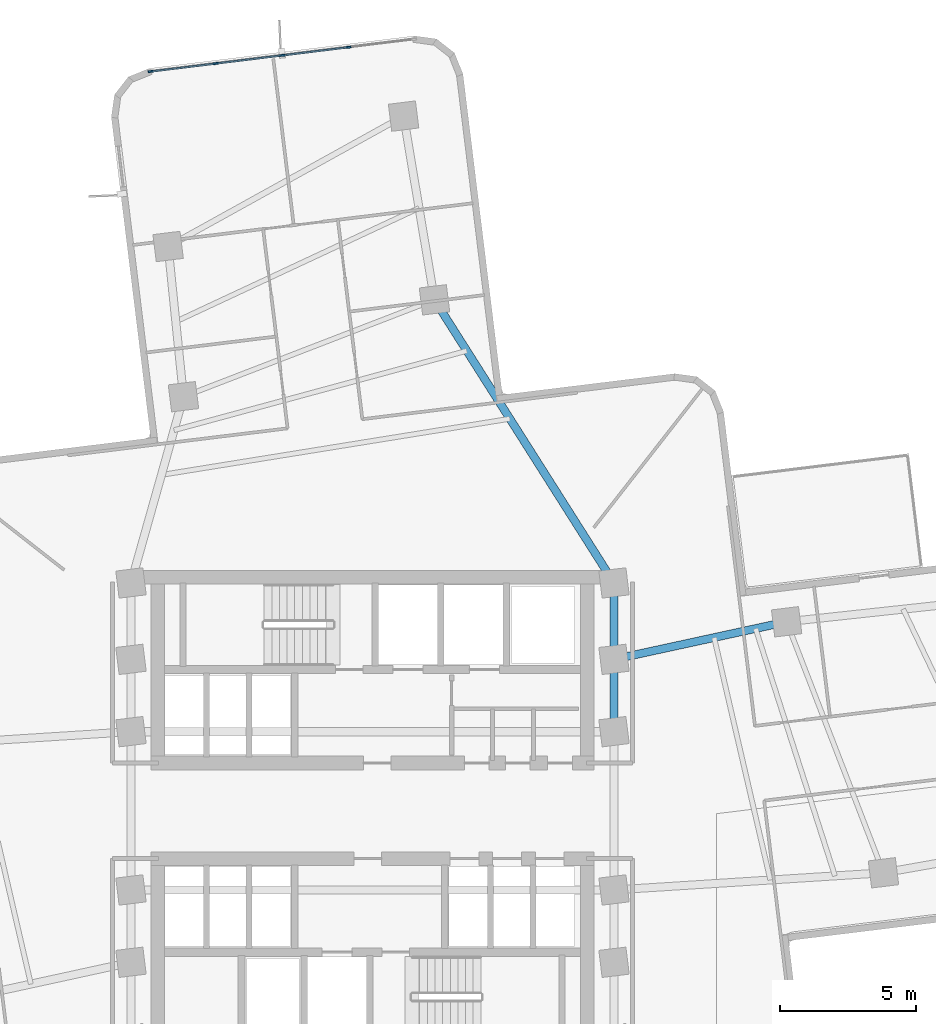
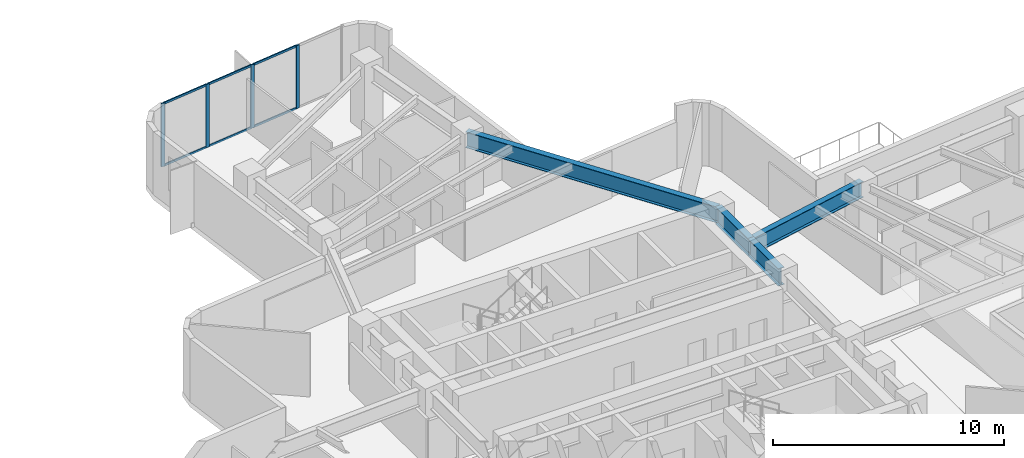
# One storey, part 4 of 13: 10 members, 4 beams, 1 element without a shape of its own.
"""IFC4 building model written with IfcOpenShell, lengths in metres."""

import ifcopenshell
import ifcopenshell.guid

model = None  # the IFC model being written
_history = None  # IfcOwnerHistory: only IFC2X3 demands one
_inside = {}  # id of a spatial element -> (the spatial element, [elements in it])
_under = {}  # id of a project, library or spatial element -> (it, [spatial elements below it])
_declared = {}  # id of a project -> (the project, [libraries it declares])
_typed = {}  # id of a type object -> (the type object, [elements of that type])
_made_of = {}  # id of a material, layer set ... -> (it, [elements and type objects made of it])


def new_model(schema):
    """Start an empty IFC model of exactly this schema.

    Asked for "IFC4X3", IfcOpenShell would pick the latest addendum, in which some entities
    have other attributes; the version numbers below select the first issue.
    IFC2X3 requires an IfcOwnerHistory on every rooted entity: one is made here for all.
    """
    global model, _history
    if schema == "IFC4X3":
        model = ifcopenshell.file(schema_version=(4, 3, 0, 0))
    else:
        model = ifcopenshell.file(schema=schema)
    _inside.clear()
    _under.clear()
    _declared.clear()
    _typed.clear()
    _made_of.clear()
    _history = None
    if model.schema == "IFC2X3":
        org = make("IfcOrganization", Name="unknown")
        user = make(
            "IfcPersonAndOrganization",
            ThePerson=make("IfcPerson", FamilyName="unknown"),
            TheOrganization=org,
        )
        app = make(
            "IfcApplication",
            ApplicationDeveloper=org,
            Version="unknown",
            ApplicationFullName="unknown",
            ApplicationIdentifier="unknown",
        )
        _history = make(
            "IfcOwnerHistory",
            OwningUser=user,
            OwningApplication=app,
            ChangeAction="ADDED",
            CreationDate=0,
        )
    return model


def make(cls, **values):
    """One entity of the class cls with the attributes given. An attribute that is None is left unset."""
    return model.create_entity(
        cls, **{name: value for name, value in values.items() if value is not None}
    )


def rooted(cls, **values):
    """An entity with a GlobalId (a new one), such as an element, a storey or a relation."""
    return make(cls, GlobalId=ifcopenshell.guid.new(), OwnerHistory=_history, **values)


def si_unit(unit_type, name, prefix=None):
    """IfcSIUnit, for example si_unit("LENGTHUNIT", "METRE", prefix="MILLI")."""
    return make("IfcSIUnit", UnitType=unit_type, Prefix=prefix, Name=name)


def assignment(units):
    """IfcUnitAssignment: the units of a project."""
    return None if units is None else make("IfcUnitAssignment", Units=units)


def point(xyz):
    """IfcCartesianPoint."""
    return None if xyz is None else make("IfcCartesianPoint", Coordinates=xyz)


def direction(xyz):
    """IfcDirection."""
    return None if xyz is None else make("IfcDirection", DirectionRatios=xyz)


def frame(location, z_axis=None, x_axis=None):
    """IfcAxis2Placement3D, a coordinate frame: its origin and axes. An axis left out is left unset."""
    return make(
        "IfcAxis2Placement3D",
        Location=point(location),
        Axis=direction(z_axis),
        RefDirection=direction(x_axis),
    )


def frame_2d(location, x_axis=None):
    """IfcAxis2Placement2D, a coordinate frame in the plane: its origin and x axis."""
    return make(
        "IfcAxis2Placement2D", Location=point(location), RefDirection=direction(x_axis)
    )


def origin():
    """The frame at (0, 0, 0) with its axes left unset."""
    return frame((0.0, 0.0, 0.0))


def origin_2d():
    """The frame at (0, 0) in the plane with its x axis left unset."""
    return frame_2d((0.0, 0.0))


def place(relative_to, where):
    """IfcLocalPlacement: puts the frame where relative to a parent placement (None: the world)."""
    return make(
        "IfcLocalPlacement", PlacementRelTo=relative_to, RelativePlacement=where
    )


def context(
    kind, dimensions, precision=None, world=None, true_north=None, identifier=None
):
    """IfcGeometricRepresentationContext, for example the 3D "Model" context."""
    return make(
        "IfcGeometricRepresentationContext",
        ContextIdentifier=identifier,
        ContextType=kind,
        CoordinateSpaceDimension=dimensions,
        Precision=precision,
        WorldCoordinateSystem=world,
        TrueNorth=true_north,
    )


def subcontext(parent, identifier, kind, view, scale=None):
    """IfcGeometricRepresentationSubContext, for example "Body" below "Model"."""
    return make(
        "IfcGeometricRepresentationSubContext",
        ContextIdentifier=identifier,
        ContextType=kind,
        ParentContext=parent,
        TargetScale=scale,
        TargetView=view,
    )


def project(units=None, contexts=None):
    """IfcProject with its units and contexts."""
    return rooted(
        "IfcProject",
        Name="project",
        RepresentationContexts=contexts,
        UnitsInContext=assignment(units),
    )


def spatial(cls, under=None, at=None, **own):
    """A site, building, storey or space (cls), placed at a placement, below another one or the project."""
    s = rooted(cls, ObjectPlacement=at, **own)
    if under is not None:
        _under.setdefault(under.id(), (under, []))[1].append(s)
    return s


def profile(cls, at=None, kind="AREA", **sizes):
    """A parametric profile (cls). Its sizes go by their IFC names, for example OverallWidth=200.0."""
    return make(cls, ProfileType=kind, Position=at, **sizes)


def rectangle(**sizes):
    """IfcRectangleProfileDef."""
    return profile("IfcRectangleProfileDef", **sizes)


def i_section(**sizes):
    """IfcIShapeProfileDef."""
    return profile("IfcIShapeProfileDef", **sizes)


def extrude(swept, where, along, depth):
    """IfcExtrudedAreaSolid: the profile swept, set in the frame where, extruded along a direction by depth."""
    return make(
        "IfcExtrudedAreaSolid",
        SweptArea=swept,
        Position=where,
        ExtrudedDirection=direction(along),
        Depth=depth,
    )


def shape(context_of_items, identifier, shape_type, items):
    """IfcShapeRepresentation: the items that make up one representation, for example the "Body"."""
    return make(
        "IfcShapeRepresentation",
        ContextOfItems=context_of_items,
        RepresentationIdentifier=identifier,
        RepresentationType=shape_type,
        Items=items,
    )


def material(Name=None, Category=None):
    """IfcMaterial."""
    return make("IfcMaterial", Name=Name, Category=Category)


def layer(
    of_material, thickness, ventilated=None, Name=None, Category=None, Priority=None
):
    """IfcMaterialLayer: one layer of a wall or slab, of a material (None: an air gap)."""
    return make(
        "IfcMaterialLayer",
        Material=of_material,
        LayerThickness=thickness,
        IsVentilated=ventilated,
        Name=Name,
        Category=Category,
        Priority=Priority,
    )


def layer_set(layers, Name=None):
    """IfcMaterialLayerSet."""
    return make("IfcMaterialLayerSet", MaterialLayers=layers, LayerSetName=Name)


def material_profile(
    of_material, cross_section, Name=None, Category=None, Priority=None
):
    """IfcMaterialProfile: a cross section and its material."""
    return make(
        "IfcMaterialProfile",
        Name=Name,
        Material=of_material,
        Profile=cross_section,
        Priority=Priority,
        Category=Category,
    )


def profile_set(profiles, Name=None, composite=None):
    """IfcMaterialProfileSet."""
    return make(
        "IfcMaterialProfileSet",
        Name=Name,
        MaterialProfiles=profiles,
        CompositeProfile=composite,
    )


def made_of(thing, what):
    """Note that an element or type object is made of a material, layer set ...; save() writes the relation."""
    if what is not None:
        _made_of.setdefault(what.id(), (what, []))[1].append(thing)
    return thing


def type_object(cls, material=None, **own):
    """A type object (cls), such as IfcWallType, which elements share."""
    return made_of(rooted(cls, **own), material)


def element(
    cls,
    number,
    at=None,
    inside=None,
    cuts=None,
    type_object=None,
    material=None,
    context=None,
    identifier="Body",
    shape_type=None,
    held_by="IfcProductDefinitionShape",
    body=None,
    shapes=None,
    **own,
):
    """One element of the class cls, such as IfcWall. Its Tag is "e" and its number.

    at: its placement. inside: the storey or other place that contains it. cuts: it is an
    opening in that element (IfcRelVoidsElement). A single representation is given by context,
    identifier, shape_type and body (its items); several are given by shapes. held_by: the class
    of the entity that holds the representations. save() writes the other relations.
    """
    e = rooted(cls, Tag="e%d" % number, ObjectPlacement=at, **own)
    if body is not None:
        shapes = [shape(context, identifier, shape_type, body)]
    if shapes is not None:
        e.Representation = make(held_by, Representations=shapes)
    if inside is not None:
        _inside.setdefault(inside.id(), (inside, []))[1].append(e)
    if cuts is not None:
        rooted(
            "IfcRelVoidsElement", RelatingBuildingElement=cuts, RelatedOpeningElement=e
        )
    if type_object is not None:
        _typed.setdefault(type_object.id(), (type_object, []))[1].append(e)
    return made_of(e, material)


def aggregate(whole, parts):
    """IfcRelAggregates: a whole, such as a stair, and the parts it consists of."""
    return rooted("IfcRelAggregates", RelatingObject=whole, RelatedObjects=parts)


def save(model, path):
    """Write the relations noted so far, then the file.

    IfcRelAggregates (storeys below a building ...), IfcRelContainedInSpatialStructure (elements
    in a storey), IfcRelDefinesByType, IfcRelAssociatesMaterial and IfcRelDeclares: one each for
    every whole, place, type object, material and project.
    """
    for whole, parts in _under.values():
        aggregate(whole, parts)
    for where, things in _inside.values():
        rooted(
            "IfcRelContainedInSpatialStructure",
            RelatedElements=things,
            RelatingStructure=where,
        )
    for kind, things in _typed.values():
        rooted("IfcRelDefinesByType", RelatedObjects=things, RelatingType=kind)
    for what, things in _made_of.values():
        rooted("IfcRelAssociatesMaterial", RelatedObjects=things, RelatingMaterial=what)
    for by, libraries in _declared.values():
        rooted("IfcRelDeclares", RelatingContext=by, RelatedDefinitions=libraries)
    model.write(path)


model = new_model("IFC4")

# Units and contexts
model_context = context("Model", 3, precision=1e-05, world=origin(), true_north=direction((0.0, 1.0)))
body_context = subcontext(model_context, "Body", "Model", "MODEL_VIEW")
ifc_project = project(units=[si_unit("LENGTHUNIT", "METRE"), si_unit("AREAUNIT", "SQUARE_METRE"), si_unit("VOLUMEUNIT", "CUBIC_METRE"), si_unit("PLANEANGLEUNIT", "RADIAN"), si_unit("MASSUNIT", "GRAM", prefix="KILO")], contexts=[model_context])

# Site, building, storey
site_placement = place(None, origin())
site = spatial("IfcSite", under=ifc_project, at=site_placement, CompositionType="ELEMENT")
building_placement = place(site_placement, origin())
building = spatial("IfcBuilding", under=site, at=building_placement, Name="Solmarez Civic Tower", CompositionType="ELEMENT")
storey_placement = place(building_placement, frame((0.0, 0.0, 82.080078125)))
storey = spatial("IfcBuildingStorey", under=building, at=storey_placement, Name="L21", CompositionType="ELEMENT", Elevation=82.080078125)

# Beams
ifc_material_1 = material(Name="Steel S355", Category="steel")
ifc_material_profile_1 = material_profile(ifc_material_1, i_section(OverallWidth=0.2919921875, OverallDepth=0.845947265625, WebThickness=0.015380859375, FlangeThickness=0.0244140625, at=origin_2d()), Name="W33X141")
ifc_profile_set_1 = profile_set([ifc_material_profile_1], Name="Steel S355")
beam_type_1 = type_object("IfcBeamType", Name="BM-PR-W33X141", PredefinedType="BEAM", material=ifc_profile_set_1)
beam_1_placement = place(storey_placement, frame((8.85009765625, 5.550048828125, 2.9169921875), z_axis=(0.977113347202, 0.212719314402, 0.0), x_axis=(-0.212719314402, 0.977113347202, 0.0)))
element("IfcBeam", 1, at=beam_1_placement, inside=storey, type_object=beam_type_1, Name="L21 Primary Floor Beam BM-L21-EA-R1B", PredefinedType="BEAM", context=body_context, shape_type="SweptSolid", body=[
    extrude(i_section(OverallWidth=0.2919921875, OverallDepth=0.845947265625, WebThickness=0.015380859375, FlangeThickness=0.0244140625, at=origin_2d()), origin(), (0.0, 0.0, 1.0), 6.47314453125),
])
beam_2_placement = place(storey_placement, frame((8.85009765625, 8.35009765625, 2.9169921875), z_axis=(-0.535568299099, 0.84449191648, 0.0), x_axis=(-0.84449191648, -0.535568299099, 0.0)))
element("IfcBeam", 2, at=beam_2_placement, inside=storey, type_object=beam_type_1, Name="L21 Primary Floor Beam BM-L21-NA-R1A", PredefinedType="BEAM", context=body_context, shape_type="SweptSolid", body=[
    extrude(i_section(OverallWidth=0.2919921875, OverallDepth=0.845947265625, WebThickness=0.015380859375, FlangeThickness=0.0244140625, at=origin_2d()), origin(), (0.0, 0.0, 1.0), 12.284423828125),
])
ifc_material_profile_2 = material_profile(ifc_material_1, i_section(OverallWidth=0.306884765625, OverallDepth=0.927001953125, WebThickness=0.019287109375, FlangeThickness=0.031982421875, at=origin_2d()), Name="W36X194")
ifc_profile_set_2 = profile_set([ifc_material_profile_2], Name="Steel S355")
beam_type_2 = type_object("IfcBeamType", Name="BM-PR-W36X194", PredefinedType="BEAM", material=ifc_profile_set_2)
beam_3_placement = place(storey_placement, frame((8.85009765625, 2.89990234375, 2.876953125), z_axis=(0.0, 1.0, 0.0), x_axis=(-1.0, 0.0, 0.0)))
element("IfcBeam", 3, at=beam_3_placement, inside=storey, type_object=beam_type_2, Name="L21 Primary Floor Beam BM-L21-HC7-HC8", PredefinedType="BEAM", context=body_context, shape_type="SweptSolid", body=[
    extrude(i_section(OverallWidth=0.306884765625, OverallDepth=0.927001953125, WebThickness=0.019287109375, FlangeThickness=0.031982421875, at=origin_2d()), origin(), (0.0, 0.0, 1.0), 2.650146484375),
])
beam_4_placement = place(storey_placement, frame((8.85009765625, 5.550048828125, 2.876953125), z_axis=(0.0, 1.0, 0.0), x_axis=(-1.0, 0.0, 0.0)))
element("IfcBeam", 4, at=beam_4_placement, inside=storey, type_object=beam_type_2, Name="L21 Primary Floor Beam BM-L21-HC8-HC11", PredefinedType="BEAM", context=body_context, shape_type="SweptSolid", body=[
    extrude(i_section(OverallWidth=0.306884765625, OverallDepth=0.927001953125, WebThickness=0.019287109375, FlangeThickness=0.031982421875, at=origin_2d()), origin(), (0.0, 0.0, 1.0), 2.800048828125),
])

# Curtain wall, members
ifc_material_2 = material(Name="Bronze Anodised Aluminium EN AW-6063 T6", Category="aluminium")
ifc_layer = layer(ifc_material_2, 0.155029296875)
ifc_layer_set = layer_set([ifc_layer], Name="Bronze Anodised Aluminium EN AW-6063 T6")
curtain_wall_type = type_object("IfcCurtainWallType", Name="CW-SYS-6", PredefinedType="NOTDEFINED", material=ifc_layer_set)
curtain_wall_placement = place(storey_placement, origin())
curtain_wall = element("IfcCurtainWall", 5, at=curtain_wall_placement, inside=storey, type_object=curtain_wall_type, Name="L21 Stick-Built Curtain Wall 2", PredefinedType="NOTDEFINED")
ifc_material_profile_3 = material_profile(ifc_material_2, rectangle(XDim=0.070068359375, YDim=0.179931640625, at=origin_2d()), Name="CWM-70X180")
ifc_profile_set_3 = profile_set([ifc_material_profile_3], Name="Bronze Anodised Aluminium EN AW-6063 T6")
member_type_1 = type_object("IfcMemberType", Name="CWM-TYPE-2", PredefinedType="MULLION", material=ifc_profile_set_3)
member_1_placement = place(storey_placement, frame((-8.13623046875, 27.09033203125, 0.0), z_axis=(0.0, 0.0, 1.0), x_axis=(-0.121861314359, 0.992547137451, 0.0)))
member_1 = element("IfcMember", 6, at=member_1_placement, type_object=member_type_1, Name="CWS6 mullion 1", PredefinedType="MULLION", context=body_context, shape_type="SweptSolid", body=[
    extrude(rectangle(XDim=0.070068359375, YDim=0.179931640625, at=origin_2d()), origin(), (0.0, 0.0, 1.0), 3.33984375),
])
member_2_placement = place(storey_placement, frame((-5.73974609375, 27.384521484375, 0.0), z_axis=(0.0, 0.0, 1.0), x_axis=(-0.121861314359, 0.992547137451, 0.0)))
member_2 = element("IfcMember", 7, at=member_2_placement, type_object=member_type_1, Name="CWS6 mullion 2", PredefinedType="MULLION", context=body_context, shape_type="SweptSolid", body=[
    extrude(rectangle(XDim=0.070068359375, YDim=0.179931640625, at=origin_2d()), origin(), (0.0, 0.0, 1.0), 3.33984375),
])
member_3_placement = place(storey_placement, frame((-3.30859375, 27.68310546875, 0.0), z_axis=(0.0, 0.0, 1.0), x_axis=(-0.121861314359, 0.992547137451, 0.0)))
member_3 = element("IfcMember", 8, at=member_3_placement, type_object=member_type_1, Name="CWS6 mullion 3", PredefinedType="MULLION", context=body_context, shape_type="SweptSolid", body=[
    extrude(rectangle(XDim=0.070068359375, YDim=0.179931640625, at=origin_2d()), origin(), (0.0, 0.0, 1.0), 3.33984375),
])
member_4_placement = place(storey_placement, frame((-0.877197265625, 27.9814453125, 0.0), z_axis=(0.0, 0.0, 1.0), x_axis=(-0.121861314359, 0.992547137451, 0.0)))
member_4 = element("IfcMember", 9, at=member_4_placement, type_object=member_type_1, Name="CWS6 mullion 4", PredefinedType="MULLION", context=body_context, shape_type="SweptSolid", body=[
    extrude(rectangle(XDim=0.070068359375, YDim=0.179931640625, at=origin_2d()), origin(), (0.0, 0.0, 1.0), 3.33984375),
])
ifc_material_profile_4 = material_profile(ifc_material_2, rectangle(XDim=0.06005859375, YDim=0.110107421875, at=origin_2d()), Name="CWT-60X110")
ifc_profile_set_4 = profile_set([ifc_material_profile_4], Name="Bronze Anodised Aluminium EN AW-6063 T6")
member_type_2 = type_object("IfcMemberType", Name="CWT-TYPE-3", PredefinedType="USERDEFINED", material=ifc_profile_set_4)
member_5_placement = place(storey_placement, frame((-8.1015625, 27.094482421875, 0.030029296875), z_axis=(0.992550967804, 0.121830112498, 0.0), x_axis=(-0.121830112498, 0.992550967804, 0.0)))
member_5 = element("IfcMember", 10, at=member_5_placement, type_object=member_type_2, Name="CWS6 transom 1.1", ObjectType="TRANSOM", PredefinedType="USERDEFINED", context=body_context, shape_type="SweptSolid", body=[
    extrude(rectangle(XDim=0.06005859375, YDim=0.110107421875, at=origin_2d()), origin(), (0.0, 0.0, 1.0), 2.3447265625),
])
member_6_placement = place(storey_placement, frame((-8.1015625, 27.094482421875, 3.309814453125), z_axis=(0.992550967804, 0.121830112498, 0.0), x_axis=(-0.121830112498, 0.992550967804, 0.0)))
member_6 = element("IfcMember", 11, at=member_6_placement, type_object=member_type_2, Name="CWS6 transom 1.2", ObjectType="TRANSOM", PredefinedType="USERDEFINED", context=body_context, shape_type="SweptSolid", body=[
    extrude(rectangle(XDim=0.06005859375, YDim=0.110107421875, at=origin_2d()), origin(), (0.0, 0.0, 1.0), 2.3447265625),
])
member_7_placement = place(storey_placement, frame((-5.705078125, 27.388671875, 0.030029296875), z_axis=(0.992543890803, 0.121887755042, 0.0), x_axis=(-0.121887755042, 0.992543890803, 0.0)))
member_7 = element("IfcMember", 12, at=member_7_placement, type_object=member_type_2, Name="CWS6 transom 2.1", ObjectType="TRANSOM", PredefinedType="USERDEFINED", context=body_context, shape_type="SweptSolid", body=[
    extrude(rectangle(XDim=0.06005859375, YDim=0.110107421875, at=origin_2d()), origin(), (0.0, 0.0, 1.0), 2.379638671875),
])
member_8_placement = place(storey_placement, frame((-5.705078125, 27.388671875, 3.309814453125), z_axis=(0.992543890803, 0.121887755042, 0.0), x_axis=(-0.121887755042, 0.992543890803, 0.0)))
member_8 = element("IfcMember", 13, at=member_8_placement, type_object=member_type_2, Name="CWS6 transom 2.2", ObjectType="TRANSOM", PredefinedType="USERDEFINED", context=body_context, shape_type="SweptSolid", body=[
    extrude(rectangle(XDim=0.06005859375, YDim=0.110107421875, at=origin_2d()), origin(), (0.0, 0.0, 1.0), 2.379638671875),
])
member_9_placement = place(storey_placement, frame((-3.273681640625, 27.687255859375, 0.030029296875), z_axis=(0.992542366294, 0.12190016863, 0.0), x_axis=(-0.12190016863, 0.992542366294, 0.0)))
member_9 = element("IfcMember", 14, at=member_9_placement, type_object=member_type_2, Name="CWS6 transom 3.1", ObjectType="TRANSOM", PredefinedType="USERDEFINED", context=body_context, shape_type="SweptSolid", body=[
    extrude(rectangle(XDim=0.06005859375, YDim=0.110107421875, at=origin_2d()), origin(), (0.0, 0.0, 1.0), 2.37939453125),
])
member_10_placement = place(storey_placement, frame((-3.273681640625, 27.687255859375, 3.309814453125), z_axis=(0.992542366294, 0.12190016863, 0.0), x_axis=(-0.12190016863, 0.992542366294, 0.0)))
member_10 = element("IfcMember", 15, at=member_10_placement, type_object=member_type_2, Name="CWS6 transom 3.2", ObjectType="TRANSOM", PredefinedType="USERDEFINED", context=body_context, shape_type="SweptSolid", body=[
    extrude(rectangle(XDim=0.06005859375, YDim=0.110107421875, at=origin_2d()), origin(), (0.0, 0.0, 1.0), 2.37939453125),
])
aggregate(curtain_wall, [member_1, member_2, member_3, member_4, member_5, member_6, member_7, member_8, member_9, member_10])

save(model, "model.ifc")
